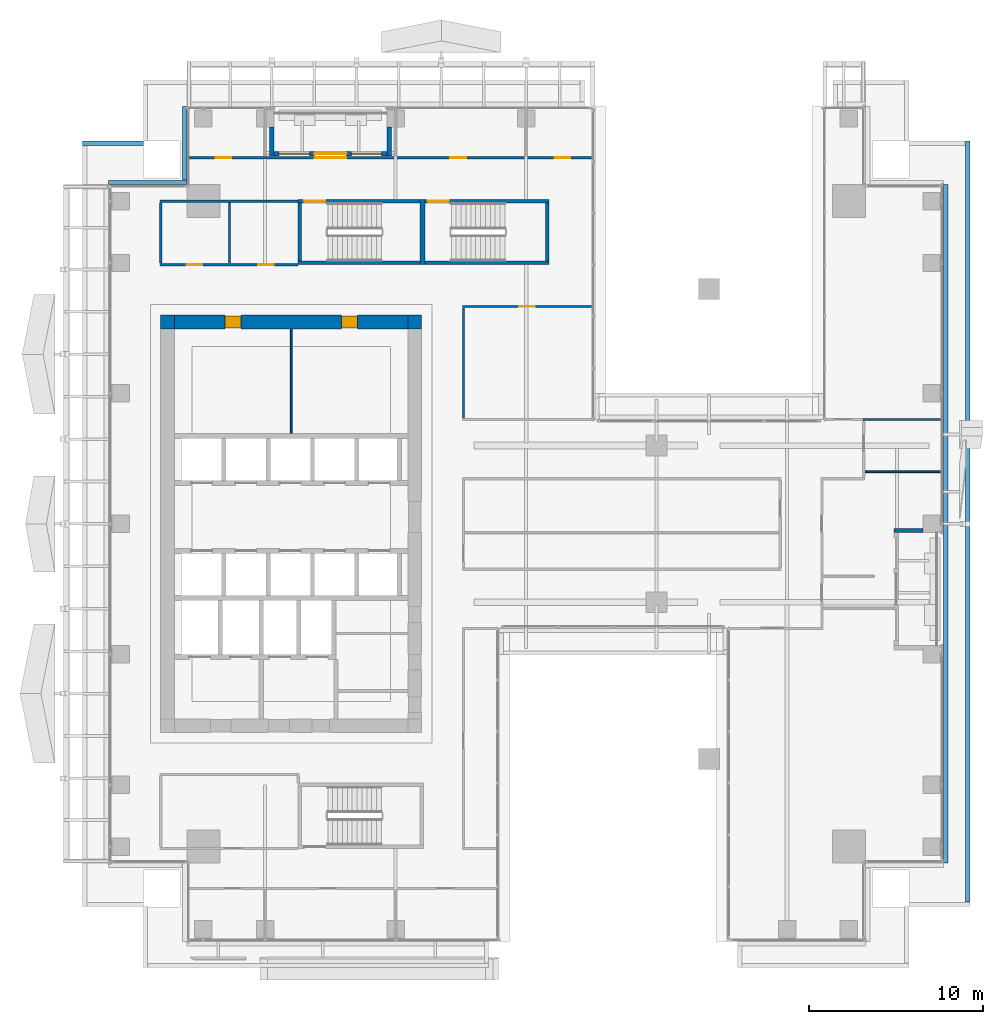
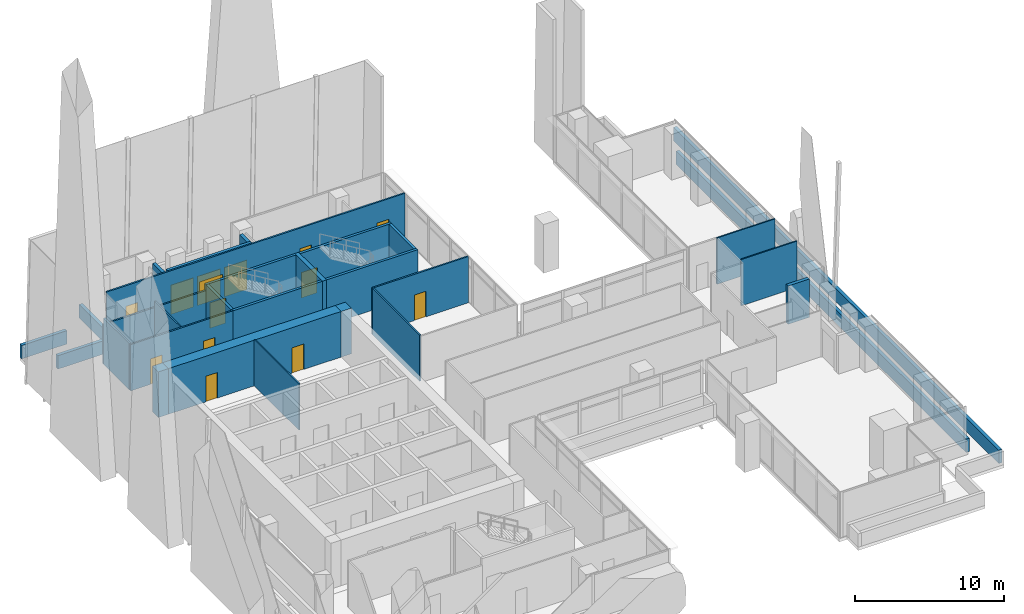
# One storey, part 36 of 43: 29 walls, 12 doors, 2 windows, 14 openings.
"""IFC4 building model written with IfcOpenShell, lengths in metres."""

from ifc_helpers import new_model, si_unit, direction, frame, frame_2d, origin, place, context, subcontext, project, spatial, rectangle, extrude, source, transform, mapped, material, layer, layer_set, type_object, element, fill, save


model = new_model("IFC4")

# Units and contexts
model_context = context("Model", 3, precision=1e-05, world=origin(), true_north=direction((0.0, 1.0)))
body_context = subcontext(model_context, "Body", "Model", "MODEL_VIEW")
ifc_project = project(units=[si_unit("LENGTHUNIT", "METRE"), si_unit("AREAUNIT", "SQUARE_METRE"), si_unit("VOLUMEUNIT", "CUBIC_METRE"), si_unit("PLANEANGLEUNIT", "RADIAN"), si_unit("MASSUNIT", "GRAM", prefix="KILO")], contexts=[model_context])

# Site, building, storey
site_placement = place(None, origin())
site = spatial("IfcSite", under=ifc_project, at=site_placement, CompositionType="ELEMENT")
building_placement = place(site_placement, origin())
building = spatial("IfcBuilding", under=site, at=building_placement, Name="Khomas Fold Tower", CompositionType="ELEMENT")
storey_placement = place(building_placement, frame((0.0, 0.0, 164.699951171875)))
storey = spatial("IfcBuildingStorey", under=building, at=storey_placement, Name="L35", CompositionType="ELEMENT", Elevation=164.699951171875)

# Wall, openings, doors
ifc_material_1 = material(Name="Concrete C60/75", Category="concrete")
ifc_layer_1 = layer(ifc_material_1, 0.800048828125)
ifc_layer_set_1 = layer_set([ifc_layer_1], Name="Concrete C60/75")
wall_type_1 = type_object("IfcWallType", Name="Core wall 800", PredefinedType="SHEAR", material=ifc_layer_set_1)
shared_shape_1 = source(origin(), body_context, "Body", "SweptSolid", [
    extrude(rectangle(XDim=13.39990234375, YDim=0.800048828125, at=frame_2d((6.699951171875, 0.0))), origin(), (0.0, 0.0, 1.0), 3.75),
])
wall_1_placement = place(storey_placement, frame((6.800048828125, 38.60009765625, 0.0), z_axis=(0.0, 0.0, 1.0), x_axis=(1.0, 0.0, 0.0)))
wall_1 = element("IfcWall", 1, at=wall_1_placement, inside=storey, type_object=wall_type_1, Name="Core wall CW-U-N-L35", PredefinedType="SHEAR", context=body_context, shape_type="MappedRepresentation", body=[
    mapped(shared_shape_1, transform((0.0, 0.0, 0.0))),
])
shared_shape_2 = source(origin(), body_context, "Body", "SweptSolid", [
    extrude(rectangle(XDim=0.89990234375, YDim=2.10009765625, at=frame_2d((0.449951171875, 1.050048828125))), frame((0.0, 0.409912109375, 0.0), z_axis=(0.0, -1.0, 0.0), x_axis=(1.0, 0.0, 0.0)), (0.0, 0.0, 1.0), 0.820068359375),
])
opening_1_placement = place(wall_1_placement, frame((2.89990234375, 0.0, 0.0)))
opening_1 = element("IfcOpeningElement", 2, at=opening_1_placement, cuts=wall_1, Name="Opening 0008", PredefinedType="OPENING", context=body_context, shape_type="MappedRepresentation", body=[
    mapped(shared_shape_2, transform((0.0, 0.0, 0.0))),
])
opening_2_placement = place(wall_1_placement, frame((9.60009765625, 0.0, 0.0)))
opening_2 = element("IfcOpeningElement", 3, at=opening_2_placement, cuts=wall_1, Name="Opening 0008", PredefinedType="OPENING", context=body_context, shape_type="MappedRepresentation", body=[
    mapped(shared_shape_2, transform((0.0, 0.0, 0.0))),
])
ifc_material_2 = material(Name="Timber door leaf", Category="wood")
door_type_1 = type_object("IfcDoorType", Name="Door 900x2100 right-hand", OperationType="SINGLE_SWING_RIGHT", PredefinedType="DOOR", material=ifc_material_2)
shared_shape_3 = source(origin(), body_context, "Body", "SweptSolid", [
    extrude(rectangle(XDim=0.89990234375, YDim=2.10009765625, at=frame_2d((0.449951171875, 1.050048828125))), frame((0.0, 0.35009765625, 0.0), z_axis=(0.0, -1.0, 0.0), x_axis=(1.0, 0.0, 0.0)), (0.0, 0.0, 1.0), 0.699951171875),
])
door_1_placement = place(opening_1_placement, origin())
door_1 = element("IfcDoor", 4, at=door_1_placement, inside=storey, type_object=door_type_1, Name="Door", OperationType="SINGLE_SWING_RIGHT", OverallHeight=2.10009765625, OverallWidth=0.89990234375, PredefinedType="DOOR", context=body_context, shape_type="MappedRepresentation", body=[
    mapped(shared_shape_3, transform((0.0, 0.0, 0.0))),
])
fill(opening_1, door_1)
door_2_placement = place(opening_2_placement, origin())
door_2 = element("IfcDoor", 5, at=door_2_placement, inside=storey, type_object=door_type_1, Name="Door", OperationType="SINGLE_SWING_RIGHT", OverallHeight=2.10009765625, OverallWidth=0.89990234375, PredefinedType="DOOR", context=body_context, shape_type="MappedRepresentation", body=[
    mapped(shared_shape_3, transform((0.0, 0.0, 0.0))),
])
fill(opening_2, door_2)

# Walls
ifc_material_3 = material(Name="Concrete C60/75", Category="concrete")
ifc_layer_2 = layer(ifc_material_3, 0.800048828125)
ifc_layer_set_2 = layer_set([ifc_layer_2], Name="Concrete C60/75")
wall_type_2 = type_object("IfcWallType", Name="Core corner wall 800", PredefinedType="SHEAR", material=ifc_layer_set_2)
shared_shape_4 = source(origin(), body_context, "Body", "SweptSolid", [
    extrude(rectangle(XDim=0.800048828125, YDim=0.800048828125, at=frame_2d((0.39990234375, 0.0))), origin(), (0.0, 0.0, 1.0), 3.75),
])
for number, where, z_axis, x_axis, name in (
    (6, (20.199951171875, 38.60009765625, 0.0), (0.0, 0.0, 1.0), (1.0, 0.0, 0.0), "Core wall CW-U-NE-L35"),
    (7, (6.0, 38.60009765625, 0.0), (0.0, 0.0, 1.0), (1.0, 0.0, 0.0), "Core wall CW-U-NW-L35"),
):
    element("IfcWall", number, at=place(storey_placement, frame(where, z_axis=z_axis, x_axis=x_axis)), inside=storey, type_object=wall_type_2, Name=name, PredefinedType="SHEAR", context=body_context, shape_type="MappedRepresentation", body=[
        mapped(shared_shape_4, transform((0.0, 0.0, 0.0))),
    ])

# Wall, opening, door
ifc_material_4 = material(Name="Concrete C50/60", Category="concrete")
ifc_layer_3 = layer(ifc_material_4, 0.199951171875)
ifc_layer_set_3 = layer_set([ifc_layer_3], Name="Concrete C50/60")
wall_type_3 = type_object("IfcWallType", Name="Stair wall 200", PredefinedType="SHEAR", material=ifc_layer_set_3)
shared_shape_5 = source(origin(), body_context, "Body", "SweptSolid", [
    extrude(rectangle(XDim=7.0, YDim=0.199951171875, at=frame_2d((3.5, 0.0))), origin(), (0.0, 0.0, 1.0), 3.75),
])
wall_2_placement = place(storey_placement, frame((13.89990234375, 45.550048828125, 0.0), z_axis=(0.0, 0.0, 1.0), x_axis=(1.0, 0.0, 0.0)))
wall_2 = element("IfcWall", 8, at=wall_2_placement, inside=storey, type_object=wall_type_3, Name="Stair wall SW-ST1-N", PredefinedType="SHEAR", context=body_context, shape_type="MappedRepresentation", body=[
    mapped(shared_shape_5, transform((0.0, 0.0, 0.0))),
])
shared_shape_6 = source(origin(), body_context, "Body", "SweptSolid", [
    extrude(rectangle(XDim=1.199951171875, YDim=2.10009765625, at=frame_2d((0.60009765625, 1.050048828125))), frame((0.0, 0.10986328125, 0.0), z_axis=(0.0, -1.0, 0.0), x_axis=(1.0, 0.0, 0.0)), (0.0, 0.0, 1.0), 0.219970703125),
])
opening_3_placement = place(wall_2_placement, frame((0.35009765625, 0.0, 0.0)))
opening_3 = element("IfcOpeningElement", 9, at=opening_3_placement, cuts=wall_2, Name="Opening SD-ST1", PredefinedType="OPENING", context=body_context, shape_type="MappedRepresentation", body=[
    mapped(shared_shape_6, transform((0.0, 0.0, 0.0))),
])
ifc_material_5 = material(Name="Steel door leaf", Category="steel")
door_type_2 = type_object("IfcDoorType", Name="Stair door 1200x2100 left-hand", OperationType="SINGLE_SWING_LEFT", PredefinedType="DOOR", material=ifc_material_5)
shared_shape_7 = source(origin(), body_context, "Body", "SweptSolid", [
    extrude(rectangle(XDim=1.199951171875, YDim=2.10009765625, at=frame_2d((0.60009765625, 1.050048828125))), frame((0.0, 0.02490234375, 0.0), z_axis=(0.0, -1.0, 0.0), x_axis=(1.0, 0.0, 0.0)), (0.0, 0.0, 1.0), 0.050048828125),
])
door_3_placement = place(opening_3_placement, origin())
door_3 = element("IfcDoor", 10, at=door_3_placement, inside=storey, type_object=door_type_2, Name="Stair door", OperationType="SINGLE_SWING_LEFT", OverallHeight=2.10009765625, OverallWidth=1.199951171875, PredefinedType="DOOR", context=body_context, shape_type="MappedRepresentation", body=[
    mapped(shared_shape_7, transform((0.0, 0.0, 0.0))),
])
fill(opening_3, door_3)

# Wall
wall_3_placement = place(storey_placement, frame((13.89990234375, 42.0, 0.0), z_axis=(0.0, 0.0, 1.0), x_axis=(1.0, 0.0, 0.0)))
element("IfcWall", 11, at=wall_3_placement, inside=storey, type_object=wall_type_3, Name="Stair wall SW-ST1-S", PredefinedType="SHEAR", context=body_context, shape_type="MappedRepresentation", body=[
    mapped(shared_shape_5, transform((0.0, 0.0, 0.0))),
])

# Wall, opening, door
shared_shape_8 = source(origin(), body_context, "Body", "SweptSolid", [
    extrude(rectangle(XDim=7.10009765625, YDim=0.199951171875, at=frame_2d((3.550048828125, 0.0))), origin(), (0.0, 0.0, 1.0), 3.75),
])
wall_4_placement = place(storey_placement, frame((21.199951171875, 45.550048828125, 0.0), z_axis=(0.0, 0.0, 1.0), x_axis=(1.0, 0.0, 0.0)))
wall_4 = element("IfcWall", 12, at=wall_4_placement, inside=storey, type_object=wall_type_3, Name="Stair wall SW-ST3-N", PredefinedType="SHEAR", context=body_context, shape_type="MappedRepresentation", body=[
    mapped(shared_shape_8, transform((0.0, 0.0, 0.0))),
])
opening_4_placement = place(wall_4_placement, frame((0.14990234375, 0.0, 0.0)))
opening_4 = element("IfcOpeningElement", 13, at=opening_4_placement, cuts=wall_4, Name="Opening SD-ST3", PredefinedType="OPENING", context=body_context, shape_type="MappedRepresentation", body=[
    mapped(shared_shape_6, transform((0.0, 0.0, 0.0))),
])
door_4_placement = place(opening_4_placement, origin())
door_4 = element("IfcDoor", 14, at=door_4_placement, inside=storey, type_object=door_type_2, Name="Stair door", OperationType="SINGLE_SWING_LEFT", OverallHeight=2.10009765625, OverallWidth=1.199951171875, PredefinedType="DOOR", context=body_context, shape_type="MappedRepresentation", body=[
    mapped(shared_shape_7, transform((0.0, 0.0, 0.0))),
])
fill(opening_4, door_4)

# Walls
wall_5_placement = place(storey_placement, frame((21.199951171875, 42.0, 0.0), z_axis=(0.0, 0.0, 1.0), x_axis=(1.0, 0.0, 0.0)))
element("IfcWall", 15, at=wall_5_placement, inside=storey, type_object=wall_type_3, Name="Stair wall SW-ST3-S", PredefinedType="SHEAR", context=body_context, shape_type="MappedRepresentation", body=[
    mapped(shared_shape_8, transform((0.0, 0.0, 0.0))),
])
ifc_material_6 = material(Name="Concrete C50/60", Category="concrete")
ifc_layer_4 = layer(ifc_material_6, 0.300048828125)
ifc_layer_set_4 = layer_set([ifc_layer_4], Name="Concrete C50/60")
wall_type_4 = type_object("IfcWallType", Name="Stair wall 300", PredefinedType="SHEAR", material=ifc_layer_set_4)
shared_shape_9 = source(origin(), body_context, "Body", "SweptSolid", [
    extrude(rectangle(XDim=3.75, YDim=0.300048828125, at=frame_2d((1.875, 0.0))), origin(), (0.0, 0.0, 1.0), 3.75),
])
wall_6_placement = place(storey_placement, frame((21.050048828125, 41.89990234375, 0.0), z_axis=(0.0, 0.0, 1.0), x_axis=(0.0, 1.0, 0.0)))
element("IfcWall", 16, at=wall_6_placement, inside=storey, type_object=wall_type_4, Name="Stair wall SW-ST1-E", PredefinedType="SHEAR", context=body_context, shape_type="MappedRepresentation", body=[
    mapped(shared_shape_9, transform((0.0, 0.0, 0.0))),
])
shared_shape_10 = source(origin(), body_context, "Body", "SweptSolid", [
    extrude(rectangle(XDim=3.349853515625, YDim=0.199951171875, at=frame_2d((1.6748046875, 0.0))), origin(), (0.0, 0.0, 1.0), 3.75),
])
for number, where, z_axis, x_axis, name in (
    (17, (14.0, 42.10009765625, 0.0), (0.0, 0.0, 1.0), (0.0, 1.0, 0.0), "Stair wall SW-ST1-W"),
    (18, (28.199951171875, 42.10009765625, 0.0), (0.0, 0.0, 1.0), (0.0, 1.0, 0.0), "Stair wall SW-ST3-E"),
):
    element("IfcWall", number, at=place(storey_placement, frame(where, z_axis=z_axis, x_axis=x_axis)), inside=storey, type_object=wall_type_3, Name=name, PredefinedType="SHEAR", context=body_context, shape_type="MappedRepresentation", body=[
        mapped(shared_shape_10, transform((0.0, 0.0, 0.0))),
    ])

# Wall, openings, door, windows
ifc_material_7 = material(Name="Natural stone", Category="masonry")
ifc_layer_5 = layer(ifc_material_7, 0.0400390625)
ifc_material_8 = material(Name="Mineral wool insulation", Category="insulation")
ifc_layer_6 = layer(ifc_material_8, 0.10009765625)
ifc_material_9 = material(Name="Masonry", Category="masonry")
ifc_layer_7 = layer(ifc_material_9, 0.110107421875)
ifc_layer_set_5 = layer_set([ifc_layer_5, ifc_layer_6, ifc_layer_7], Name="Stone-faced insulated masonry")
wall_type_5 = type_object("IfcWallType", Name="BL-Balcony wall", PredefinedType="SOLIDWALL", material=ifc_layer_set_5)
shared_shape_11 = source(origin(), body_context, "Body", "SweptSolid", [
    extrude(rectangle(XDim=6.5, YDim=0.25, at=frame_2d((3.25, 0.0))), origin(), (0.0, 0.0, 1.0), 3.75),
])
wall_7_placement = place(storey_placement, frame((12.5, 48.27490234375, 0.0), z_axis=(0.0, 0.0, 1.0), x_axis=(1.0, 0.0, 0.0)))
wall_7 = element("IfcWall", 19, at=wall_7_placement, inside=storey, type_object=wall_type_5, Name="Balcony wall BAL-L35-N1", PredefinedType="SOLIDWALL", context=body_context, shape_type="MappedRepresentation", body=[
    mapped(shared_shape_11, transform((0.0, 0.0, 0.0))),
])
shared_shape_12 = source(origin(), body_context, "Body", "SweptSolid", [
    extrude(rectangle(XDim=1.75, YDim=2.39990234375, at=frame_2d((0.875, 1.199951171875))), frame((0.0, 0.135009765625, 0.0), z_axis=(0.0, -1.0, 0.0), x_axis=(1.0, 0.0, 0.0)), (0.0, 0.0, 1.0), 0.27001953125),
])
opening_5_placement = place(wall_7_placement, frame((0.300048828125, 0.0, 0.0)))
opening_5 = element("IfcOpeningElement", 20, at=opening_5_placement, cuts=wall_7, Name="Opening BL-W3", PredefinedType="OPENING", context=body_context, shape_type="MappedRepresentation", body=[
    mapped(shared_shape_12, transform((0.0, 0.0, 0.0))),
])
opening_6_placement = place(wall_7_placement, frame((4.449951171875, 0.0, 0.0)))
opening_6 = element("IfcOpeningElement", 21, at=opening_6_placement, cuts=wall_7, Name="Opening BL-W3", PredefinedType="OPENING", context=body_context, shape_type="MappedRepresentation", body=[
    mapped(shared_shape_12, transform((0.0, 0.0, 0.0))),
])
shared_shape_13 = source(origin(), body_context, "Body", "SweptSolid", [
    extrude(rectangle(XDim=1.800048828125, YDim=2.39990234375, at=frame_2d((0.89990234375, 1.199951171875))), frame((0.0, 0.135009765625, 0.0), z_axis=(0.0, -1.0, 0.0), x_axis=(1.0, 0.0, 0.0)), (0.0, 0.0, 1.0), 0.27001953125),
])
opening_7_placement = place(wall_7_placement, frame((2.35009765625, 0.0, 0.0)))
opening_7 = element("IfcOpeningElement", 22, at=opening_7_placement, cuts=wall_7, Name="Opening BD351", PredefinedType="OPENING", context=body_context, shape_type="MappedRepresentation", body=[
    mapped(shared_shape_13, transform((0.0, 0.0, 0.0))),
])
ifc_material_10 = material(Name="Aluminium framed double glazing", Category="aluminium")
door_type_3 = type_object("IfcDoorType", Name="BL-Glazed balcony door 1800 x 2400", OperationType="DOUBLE_DOOR_DOUBLE_SWING", PredefinedType="DOOR", material=ifc_material_10)
shared_shape_14 = source(origin(), body_context, "Body", "SweptSolid", [
    extrude(rectangle(XDim=1.800048828125, YDim=2.39990234375, at=frame_2d((0.89990234375, 1.199951171875))), frame((0.0, 0.02490234375, 0.0), z_axis=(0.0, -1.0, 0.0), x_axis=(1.0, 0.0, 0.0)), (0.0, 0.0, 1.0), 0.050048828125),
])
door_5_placement = place(opening_7_placement, origin())
door_5 = element("IfcDoor", 23, at=door_5_placement, inside=storey, type_object=door_type_3, Name="Balcony door BD351", OperationType="DOUBLE_DOOR_DOUBLE_SWING", OverallHeight=2.39990234375, OverallWidth=1.800048828125, PredefinedType="DOOR", context=body_context, shape_type="MappedRepresentation", body=[
    mapped(shared_shape_14, transform((0.0, 0.0, 0.0))),
])
fill(opening_7, door_5)
ifc_material_11 = material(Name="Aluminium framed double glazing", Category="aluminium")
window_type = type_object("IfcWindowType", Name="BL-Fixed glazing 1750 x 2400", PartitioningType="SINGLE_PANEL", PredefinedType="WINDOW", material=ifc_material_11)
shared_shape_15 = source(origin(), body_context, "Body", "SweptSolid", [
    extrude(rectangle(XDim=1.75, YDim=2.39990234375, at=frame_2d((0.875, 1.199951171875))), frame((0.0, 0.030029296875, 0.0), z_axis=(0.0, -1.0, 0.0), x_axis=(1.0, 0.0, 0.0)), (0.0, 0.0, 1.0), 0.06005859375),
])
window_1_placement = place(opening_5_placement, origin())
window_1 = element("IfcWindow", 24, at=window_1_placement, inside=storey, type_object=window_type, Name="Balcony glazing BAL-L35-N1-1", OverallHeight=2.39990234375, OverallWidth=1.75, PartitioningType="SINGLE_PANEL", PredefinedType="WINDOW", context=body_context, shape_type="MappedRepresentation", body=[
    mapped(shared_shape_15, transform((0.0, 0.0, 0.0))),
])
fill(opening_5, window_1)
window_2_placement = place(opening_6_placement, origin())
window_2 = element("IfcWindow", 25, at=window_2_placement, inside=storey, type_object=window_type, Name="Balcony glazing BAL-L35-N1-2", OverallHeight=2.39990234375, OverallWidth=1.75, PartitioningType="SINGLE_PANEL", PredefinedType="WINDOW", context=body_context, shape_type="MappedRepresentation", body=[
    mapped(shared_shape_15, transform((0.0, 0.0, 0.0))),
])
fill(opening_6, window_2)

# Walls
shared_shape_16 = source(origin(), body_context, "Body", "SweptSolid", [
    extrude(rectangle(XDim=1.650146484375, YDim=0.25, at=frame_2d((0.8251953125, 0.0))), origin(), (0.0, 0.0, 1.0), 3.449951171875),
])
for number, where, z_axis, x_axis, name in (
    (26, (12.375, 49.800048828125, 0.0), (0.0, 0.0, 1.0), (0.0, -1.0, 0.0), "Balcony return wall BAL-L35-N1-lo"),
    (27, (19.125, 49.800048828125, 0.0), (0.0, 0.0, 1.0), (0.0, -1.0, 0.0), "Balcony return wall BAL-L35-N1-hi"),
):
    element("IfcWall", number, at=place(storey_placement, frame(where, z_axis=z_axis, x_axis=x_axis)), inside=storey, type_object=wall_type_5, Name=name, PredefinedType="SOLIDWALL", context=body_context, shape_type="MappedRepresentation", body=[
        mapped(shared_shape_16, transform((0.0, 0.0, 0.0))),
    ])
shared_shape_17 = source(origin(), body_context, "Body", "SweptSolid", [
    extrude(rectangle(XDim=1.650146484375, YDim=0.25, at=frame_2d((0.8251953125, 0.0))), origin(), (0.0, 0.0, 1.0), 3.150146484375),
])
wall_8_placement = place(storey_placement, frame((49.800048828125, 26.625, 0.0), z_axis=(0.0, 0.0, 1.0), x_axis=(-1.0, 0.0, 0.0)))
element("IfcWall", 28, at=wall_8_placement, inside=storey, type_object=wall_type_5, Name="Balcony return wall BAL-L35-E2-hi", PredefinedType="SOLIDWALL", context=body_context, shape_type="MappedRepresentation", body=[
    mapped(shared_shape_17, transform((0.0, 0.0, 0.0))),
])
ifc_material_12 = material(Name="Concrete C40/50", Category="concrete")
ifc_layer_8 = layer(ifc_material_12, 0.25)
ifc_layer_set_6 = layer_set([ifc_layer_8], Name="Concrete C40/50")
wall_type_6 = type_object("IfcWallType", Name="Setback roof parapet 250", PredefinedType="PARAPET", material=ifc_layer_set_6)
shared_shape_18 = source(origin(), body_context, "Body", "SweptSolid", [
    extrude(rectangle(XDim=4.5, YDim=0.25, at=frame_2d((2.25, 0.0))), origin(), (0.0, 0.0, 1.0), 1.10009765625),
])
wall_9_placement = place(storey_placement, frame((3.0, 46.625, 0.0), z_axis=(0.0, 0.0, 1.0), x_axis=(1.0, 0.0, 0.0)))
element("IfcWall", 29, at=wall_9_placement, inside=storey, type_object=wall_type_6, Name="Setback roof parapet", PredefinedType="SOLIDWALL", context=body_context, shape_type="MappedRepresentation", body=[
    mapped(shared_shape_18, transform((0.0, 0.0, 0.0))),
])
shared_shape_19 = source(origin(), body_context, "Body", "SweptSolid", [
    extrude(rectangle(XDim=4.22998046875, YDim=0.25, at=frame_2d((2.114990234375, 0.0))), origin(), (0.0, 0.0, 1.0), 1.10009765625),
])
wall_10_placement = place(storey_placement, frame((7.375, 46.77001953125, 0.0), z_axis=(0.0, 0.0, 1.0), x_axis=(0.0, 1.0, 0.0)))
element("IfcWall", 30, at=wall_10_placement, inside=storey, type_object=wall_type_6, Name="Setback roof parapet", PredefinedType="SOLIDWALL", context=body_context, shape_type="MappedRepresentation", body=[
    mapped(shared_shape_19, transform((0.0, 0.0, 0.0))),
])
shared_shape_20 = source(origin(), body_context, "Body", "SweptSolid", [
    extrude(rectangle(XDim=39.0, YDim=0.25, at=frame_2d((19.5, 0.0))), origin(), (0.0, 0.0, 1.0), 1.10009765625),
])
wall_11_placement = place(storey_placement, frame((51.125, 46.5, 0.0), z_axis=(0.0, 0.0, 1.0), x_axis=(0.0, -1.0, 0.0)))
element("IfcWall", 31, at=wall_11_placement, inside=storey, type_object=wall_type_6, Name="Setback roof parapet", PredefinedType="SOLIDWALL", context=body_context, shape_type="MappedRepresentation", body=[
    mapped(shared_shape_20, transform((0.0, 0.0, 0.0))),
])
shared_shape_21 = source(origin(), body_context, "Body", "SweptSolid", [
    extrude(rectangle(XDim=3.5, YDim=0.25, at=frame_2d((1.75, 0.0))), origin(), (0.0, 0.0, 1.0), 1.10009765625),
])
wall_12_placement = place(storey_placement, frame((5.0, 48.875, 0.0), z_axis=(0.0, 0.0, 1.0), x_axis=(-1.0, 0.0, 0.0)))
element("IfcWall", 32, at=wall_12_placement, inside=storey, type_object=wall_type_6, Name="Setback roof parapet", PredefinedType="SOLIDWALL", context=body_context, shape_type="MappedRepresentation", body=[
    mapped(shared_shape_21, transform((0.0, 0.0, 0.0))),
])
shared_shape_22 = source(origin(), body_context, "Body", "SweptSolid", [
    extrude(rectangle(XDim=43.72998046875, YDim=0.25, at=frame_2d((21.864990234375, 0.0))), origin(), (0.0, 0.0, 1.0), 1.10009765625),
])
wall_13_placement = place(storey_placement, frame((52.375, 5.27001953125, 0.0), z_axis=(0.0, 0.0, 1.0), x_axis=(0.0, 1.0, 0.0)))
element("IfcWall", 33, at=wall_13_placement, inside=storey, type_object=wall_type_6, Name="Setback roof parapet", PredefinedType="SOLIDWALL", context=body_context, shape_type="MappedRepresentation", body=[
    mapped(shared_shape_22, transform((0.0, 0.0, 0.0))),
])
ifc_material_13 = material(Name="Plasterboard partition")
ifc_layer_9 = layer(ifc_material_13, 0.125)
ifc_layer_set_7 = layer_set([ifc_layer_9], Name="Plasterboard partition")
wall_type_7 = type_object("IfcWallType", Name="Partition PW2 125", PredefinedType="PARTITIONING", material=ifc_layer_set_7)
shared_shape_23 = source(origin(), body_context, "Body", "SweptSolid", [
    extrude(rectangle(XDim=7.949951171875, YDim=0.125, at=frame_2d((3.97509765625, 0.0))), origin(), (0.0, 0.0, 1.0), 3.25),
])
wall_14_placement = place(storey_placement, frame((5.949951171875, 45.550048828125, 0.0), z_axis=(0.0, 0.0, 1.0), x_axis=(1.0, 0.0, 0.0)))
element("IfcWall", 34, at=wall_14_placement, inside=storey, type_object=wall_type_7, Name="Partition", PredefinedType="PARTITIONING", context=body_context, shape_type="MappedRepresentation", body=[
    mapped(shared_shape_23, transform((0.0, 0.0, 0.0))),
])
ifc_material_14 = material(Name="Plasterboard partition")
ifc_layer_10 = layer(ifc_material_14, 0.10009765625)
ifc_layer_set_8 = layer_set([ifc_layer_10], Name="Plasterboard partition")
wall_type_8 = type_object("IfcWallType", Name="Partition PW1 100", PredefinedType="PARTITIONING", material=ifc_layer_set_8)
shared_shape_24 = source(origin(), body_context, "Body", "SweptSolid", [
    extrude(rectangle(XDim=4.35009765625, YDim=0.10009765625, at=frame_2d((2.175048828125, 0.0))), origin(), (0.0, 0.0, 1.0), 3.800048828125),
])
wall_15_placement = place(storey_placement, frame((46.5, 30.0, 0.0), z_axis=(0.0, 0.0, 1.0), x_axis=(1.0, 0.0, 0.0)))
element("IfcWall", 35, at=wall_15_placement, inside=storey, type_object=wall_type_8, Name="Partition", PredefinedType="PARTITIONING", context=body_context, shape_type="MappedRepresentation", body=[
    mapped(shared_shape_24, transform((0.0, 0.0, 0.0))),
])
shared_shape_25 = source(origin(), body_context, "Body", "SweptSolid", [
    extrude(rectangle(XDim=6.0, YDim=0.10009765625, at=frame_2d((3.0, 0.0))), origin(), (0.0, 0.0, 1.0), 3.800048828125),
])
wall_16_placement = place(storey_placement, frame((13.5, 32.199951171875, 0.0), z_axis=(0.0, 0.0, 1.0), x_axis=(0.0, 1.0, 0.0)))
element("IfcWall", 36, at=wall_16_placement, inside=storey, type_object=wall_type_8, Name="Partition", PredefinedType="PARTITIONING", context=body_context, shape_type="MappedRepresentation", body=[
    mapped(shared_shape_25, transform((0.0, 0.0, 0.0))),
])

# Wall, opening, door
shared_shape_26 = source(origin(), body_context, "Body", "SweptSolid", [
    extrude(rectangle(XDim=7.449951171875, YDim=0.125, at=frame_2d((3.72509765625, 0.0))), origin(), (0.0, 0.0, 1.0), 3.800048828125),
])
wall_17_placement = place(storey_placement, frame((23.35009765625, 39.5, 0.0), z_axis=(0.0, 0.0, 1.0), x_axis=(1.0, 0.0, 0.0)))
wall_17 = element("IfcWall", 37, at=wall_17_placement, inside=storey, type_object=wall_type_7, Name="Partition", PredefinedType="PARTITIONING", context=body_context, shape_type="MappedRepresentation", body=[
    mapped(shared_shape_26, transform((0.0, 0.0, 0.0))),
])
shared_shape_27 = source(origin(), body_context, "Body", "SweptSolid", [
    extrude(rectangle(XDim=0.89990234375, YDim=2.10009765625, at=frame_2d((0.449951171875, 1.050048828125))), frame((0.0, 0.072509765625, 0.0), z_axis=(0.0, -1.0, 0.0), x_axis=(1.0, 0.0, 0.0)), (0.0, 0.0, 1.0), 0.14501953125),
])
opening_8_placement = place(wall_17_placement, frame((3.25, 0.0, 0.0)))
opening_8 = element("IfcOpeningElement", 38, at=opening_8_placement, cuts=wall_17, Name="Opening 0007", PredefinedType="OPENING", context=body_context, shape_type="MappedRepresentation", body=[
    mapped(shared_shape_27, transform((0.0, 0.0, 0.0))),
])
ifc_material_15 = material(Name="Timber door leaf", Category="wood")
door_type_4 = type_object("IfcDoorType", Name="Door 900x2100 left-hand", OperationType="SINGLE_SWING_LEFT", PredefinedType="DOOR", material=ifc_material_15)
shared_shape_28 = source(origin(), body_context, "Body", "SweptSolid", [
    extrude(rectangle(XDim=0.89990234375, YDim=2.10009765625, at=frame_2d((0.449951171875, 1.050048828125))), frame((0.0, 0.02490234375, 0.0), z_axis=(0.0, -1.0, 0.0), x_axis=(1.0, 0.0, 0.0)), (0.0, 0.0, 1.0), 0.050048828125),
])
door_6_placement = place(opening_8_placement, origin())
door_6 = element("IfcDoor", 39, at=door_6_placement, inside=storey, type_object=door_type_4, Name="Door", OperationType="SINGLE_SWING_LEFT", OverallHeight=2.10009765625, OverallWidth=0.89990234375, PredefinedType="DOOR", context=body_context, shape_type="MappedRepresentation", body=[
    mapped(shared_shape_28, transform((0.0, 0.0, 0.0))),
])
fill(opening_8, door_6)

# Walls
shared_shape_29 = source(origin(), body_context, "Body", "SweptSolid", [
    extrude(rectangle(XDim=4.5, YDim=0.10009765625, at=frame_2d((2.25, 0.0))), origin(), (0.0, 0.0, 1.0), 3.800048828125),
])
wall_18_placement = place(storey_placement, frame((46.35009765625, 33.0, 0.0), z_axis=(0.0, 0.0, 1.0), x_axis=(1.0, 0.0, 0.0)))
element("IfcWall", 40, at=wall_18_placement, inside=storey, type_object=wall_type_8, Name="Partition", PredefinedType="PARTITIONING", context=body_context, shape_type="MappedRepresentation", body=[
    mapped(shared_shape_29, transform((0.0, 0.0, 0.0))),
])
shared_shape_30 = source(origin(), body_context, "Body", "SweptSolid", [
    extrude(rectangle(XDim=6.2998046875, YDim=0.125, at=frame_2d((3.14990234375, 0.0))), origin(), (0.0, 0.0, 1.0), 3.800048828125),
])
wall_19_placement = place(storey_placement, frame((23.39990234375, 33.10009765625, 0.0), z_axis=(0.0, 0.0, 1.0), x_axis=(0.0, 1.0, 0.0)))
element("IfcWall", 41, at=wall_19_placement, inside=storey, type_object=wall_type_7, Name="Partition", PredefinedType="PARTITIONING", context=body_context, shape_type="MappedRepresentation", body=[
    mapped(shared_shape_30, transform((0.0, 0.0, 0.0))),
])

# Wall, openings, doors
shared_shape_31 = source(origin(), body_context, "Body", "SweptSolid", [
    extrude(rectangle(XDim=7.949951171875, YDim=0.125, at=frame_2d((3.97509765625, 0.0))), origin(), (0.0, 0.0, 1.0), 3.800048828125),
])
wall_20_placement = place(storey_placement, frame((5.949951171875, 41.89990234375, 0.0), z_axis=(0.0, 0.0, 1.0), x_axis=(1.0, 0.0, 0.0)))
wall_20 = element("IfcWall", 42, at=wall_20_placement, inside=storey, type_object=wall_type_7, Name="Partition", PredefinedType="PARTITIONING", context=body_context, shape_type="MappedRepresentation", body=[
    mapped(shared_shape_31, transform((0.0, 0.0, 0.0))),
])
opening_9_placement = place(wall_20_placement, frame((1.550048828125, 0.0, 0.0)))
opening_9 = element("IfcOpeningElement", 43, at=opening_9_placement, cuts=wall_20, Name="Opening 0005", PredefinedType="OPENING", context=body_context, shape_type="MappedRepresentation", body=[
    mapped(shared_shape_27, transform((0.0, 0.0, 0.0))),
])
opening_10_placement = place(wall_20_placement, frame((5.64990234375, 0.0, 0.0)))
opening_10 = element("IfcOpeningElement", 44, at=opening_10_placement, cuts=wall_20, Name="Opening 0005", PredefinedType="OPENING", context=body_context, shape_type="MappedRepresentation", body=[
    mapped(shared_shape_27, transform((0.0, 0.0, 0.0))),
])
ifc_material_16 = material(Name="Timber door leaf", Category="wood")
door_type_5 = type_object("IfcDoorType", Name="WC door 900x2100 left-hand", OperationType="SINGLE_SWING_LEFT", PredefinedType="DOOR", material=ifc_material_16)
door_7_placement = place(opening_9_placement, origin())
door_7 = element("IfcDoor", 45, at=door_7_placement, inside=storey, type_object=door_type_5, Name="WC door", OperationType="SINGLE_SWING_LEFT", OverallHeight=2.10009765625, OverallWidth=0.89990234375, PredefinedType="DOOR", context=body_context, shape_type="MappedRepresentation", body=[
    mapped(shared_shape_28, transform((0.0, 0.0, 0.0))),
])
fill(opening_9, door_7)
door_8_placement = place(opening_10_placement, origin())
door_8 = element("IfcDoor", 46, at=door_8_placement, inside=storey, type_object=door_type_5, Name="WC door", OperationType="SINGLE_SWING_LEFT", OverallHeight=2.10009765625, OverallWidth=0.89990234375, PredefinedType="DOOR", context=body_context, shape_type="MappedRepresentation", body=[
    mapped(shared_shape_28, transform((0.0, 0.0, 0.0))),
])
fill(opening_10, door_8)

# Walls
shared_shape_32 = source(origin(), body_context, "Body", "SweptSolid", [
    extrude(rectangle(XDim=3.449951171875, YDim=0.125, at=frame_2d((1.72509765625, 0.0))), origin(), (0.0, 0.0, 1.0), 3.800048828125),
])
wall_21_placement = place(storey_placement, frame((6.0, 42.0, 0.0), z_axis=(0.0, 0.0, 1.0), x_axis=(0.0, 1.0, 0.0)))
element("IfcWall", 47, at=wall_21_placement, inside=storey, type_object=wall_type_7, Name="Partition", PredefinedType="PARTITIONING", context=body_context, shape_type="MappedRepresentation", body=[
    mapped(shared_shape_32, transform((0.0, 0.0, 0.0))),
])
shared_shape_33 = source(origin(), body_context, "Body", "SweptSolid", [
    extrude(rectangle(XDim=3.449951171875, YDim=0.10009765625, at=frame_2d((1.72509765625, 0.0))), origin(), (0.0, 0.0, 1.0), 3.800048828125),
])
wall_22_placement = place(storey_placement, frame((9.949951171875, 42.0, 0.0), z_axis=(0.0, 0.0, 1.0), x_axis=(0.0, 1.0, 0.0)))
element("IfcWall", 48, at=wall_22_placement, inside=storey, type_object=wall_type_8, Name="Partition", PredefinedType="PARTITIONING", context=body_context, shape_type="MappedRepresentation", body=[
    mapped(shared_shape_33, transform((0.0, 0.0, 0.0))),
])

# Wall, openings, doors
shared_shape_34 = source(origin(), body_context, "Body", "SweptSolid", [
    extrude(rectangle(XDim=23.150146484375, YDim=0.125, at=frame_2d((11.5751953125, 0.0))), origin(), (0.0, 0.0, 1.0), 3.800048828125),
])
wall_23_placement = place(storey_placement, frame((7.64990234375, 48.050048828125, 0.0), z_axis=(0.0, 0.0, 1.0), x_axis=(1.0, 0.0, 0.0)))
wall_23 = element("IfcWall", 49, at=wall_23_placement, inside=storey, type_object=wall_type_7, Name="Partition", PredefinedType="PARTITIONING", context=body_context, shape_type="MappedRepresentation", body=[
    mapped(shared_shape_34, transform((0.0, 0.0, 0.0))),
])
opening_11_placement = place(wall_23_placement, frame((1.5, 0.0, 0.0)))
opening_11 = element("IfcOpeningElement", 50, at=opening_11_placement, cuts=wall_23, Name="Opening 0008", PredefinedType="OPENING", context=body_context, shape_type="MappedRepresentation", body=[
    mapped(shared_shape_27, transform((0.0, 0.0, 0.0))),
])
shared_shape_35 = source(origin(), body_context, "Body", "SweptSolid", [
    extrude(rectangle(XDim=1.800048828125, YDim=2.10009765625, at=frame_2d((0.89990234375, 1.050048828125))), frame((0.0, 0.072509765625, 0.0), z_axis=(0.0, -1.0, 0.0), x_axis=(1.0, 0.0, 0.0)), (0.0, 0.0, 1.0), 0.14501953125),
])
opening_12_placement = place(wall_23_placement, frame((7.199951171875, 0.0, 0.0)))
opening_12 = element("IfcOpeningElement", 51, at=opening_12_placement, cuts=wall_23, Name="Opening 0022", PredefinedType="OPENING", context=body_context, shape_type="MappedRepresentation", body=[
    mapped(shared_shape_35, transform((0.0, 0.0, 0.0))),
])
opening_13_placement = place(wall_23_placement, frame((15.0, 0.0, 0.0)))
opening_13 = element("IfcOpeningElement", 52, at=opening_13_placement, cuts=wall_23, Name="Opening 0008", PredefinedType="OPENING", context=body_context, shape_type="MappedRepresentation", body=[
    mapped(shared_shape_27, transform((0.0, 0.0, 0.0))),
])
opening_14_placement = place(wall_23_placement, frame((21.0, 0.0, 0.0)))
opening_14 = element("IfcOpeningElement", 53, at=opening_14_placement, cuts=wall_23, Name="Opening 0007", PredefinedType="OPENING", context=body_context, shape_type="MappedRepresentation", body=[
    mapped(shared_shape_27, transform((0.0, 0.0, 0.0))),
])
door_9_placement = place(opening_11_placement, origin())
door_9 = element("IfcDoor", 54, at=door_9_placement, inside=storey, type_object=door_type_1, Name="Door", OperationType="SINGLE_SWING_RIGHT", OverallHeight=2.10009765625, OverallWidth=0.89990234375, PredefinedType="DOOR", context=body_context, shape_type="MappedRepresentation", body=[
    mapped(shared_shape_28, transform((0.0, 0.0, 0.0))),
])
fill(opening_11, door_9)
door_10_placement = place(opening_13_placement, origin())
door_10 = element("IfcDoor", 55, at=door_10_placement, inside=storey, type_object=door_type_1, Name="Door", OperationType="SINGLE_SWING_RIGHT", OverallHeight=2.10009765625, OverallWidth=0.89990234375, PredefinedType="DOOR", context=body_context, shape_type="MappedRepresentation", body=[
    mapped(shared_shape_28, transform((0.0, 0.0, 0.0))),
])
fill(opening_13, door_10)
door_11_placement = place(opening_14_placement, origin())
door_11 = element("IfcDoor", 56, at=door_11_placement, inside=storey, type_object=door_type_4, Name="Door", OperationType="SINGLE_SWING_LEFT", OverallHeight=2.10009765625, OverallWidth=0.89990234375, PredefinedType="DOOR", context=body_context, shape_type="MappedRepresentation", body=[
    mapped(shared_shape_28, transform((0.0, 0.0, 0.0))),
])
fill(opening_14, door_11)
ifc_material_17 = material(Name="Timber door leaf", Category="wood")
door_type_6 = type_object("IfcDoorType", Name="Door 1800x2100", OperationType="DOUBLE_DOOR_SINGLE_SWING", PredefinedType="DOOR", material=ifc_material_17)
shared_shape_36 = source(origin(), body_context, "Body", "SweptSolid", [
    extrude(rectangle(XDim=1.800048828125, YDim=2.10009765625, at=frame_2d((0.89990234375, 1.050048828125))), frame((0.0, 0.02490234375, 0.0), z_axis=(0.0, -1.0, 0.0), x_axis=(1.0, 0.0, 0.0)), (0.0, 0.0, 1.0), 0.050048828125),
])
door_12_placement = place(opening_12_placement, origin())
door_12 = element("IfcDoor", 57, at=door_12_placement, inside=storey, type_object=door_type_6, Name="Door", OperationType="DOUBLE_DOOR_SINGLE_SWING", OverallHeight=2.10009765625, OverallWidth=1.800048828125, PredefinedType="DOOR", context=body_context, shape_type="MappedRepresentation", body=[
    mapped(shared_shape_36, transform((0.0, 0.0, 0.0))),
])
fill(opening_12, door_12)

save(model, "model.ifc")
